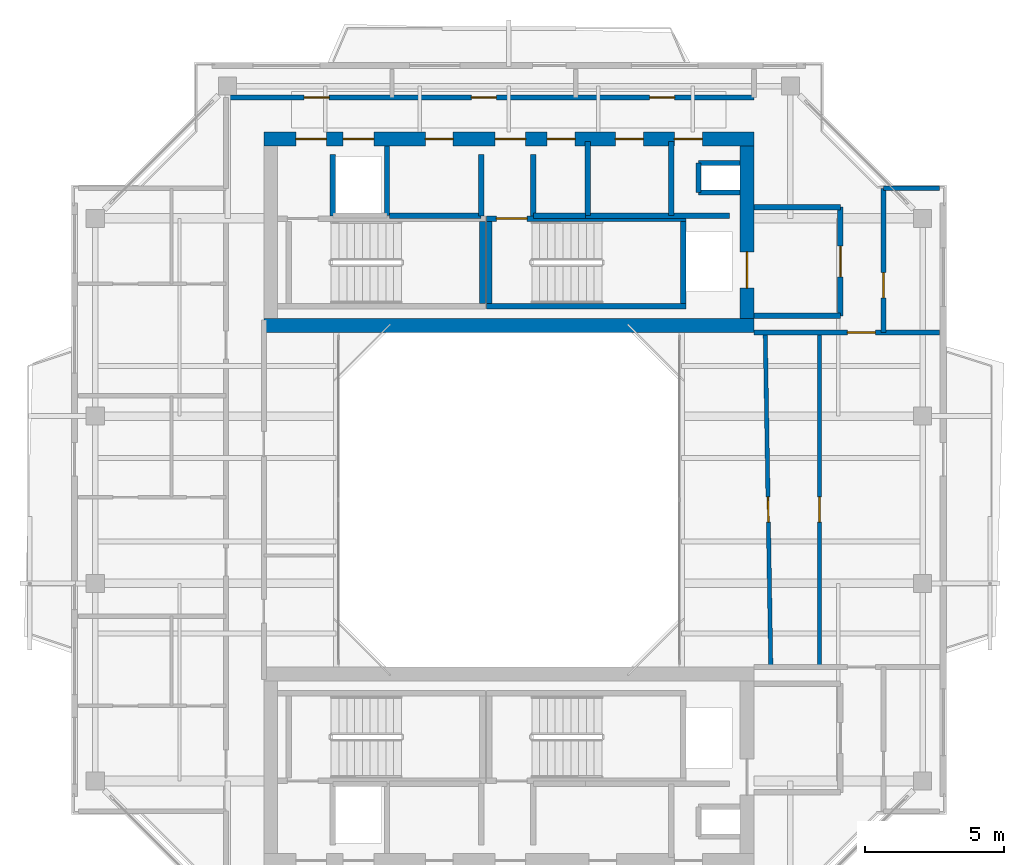
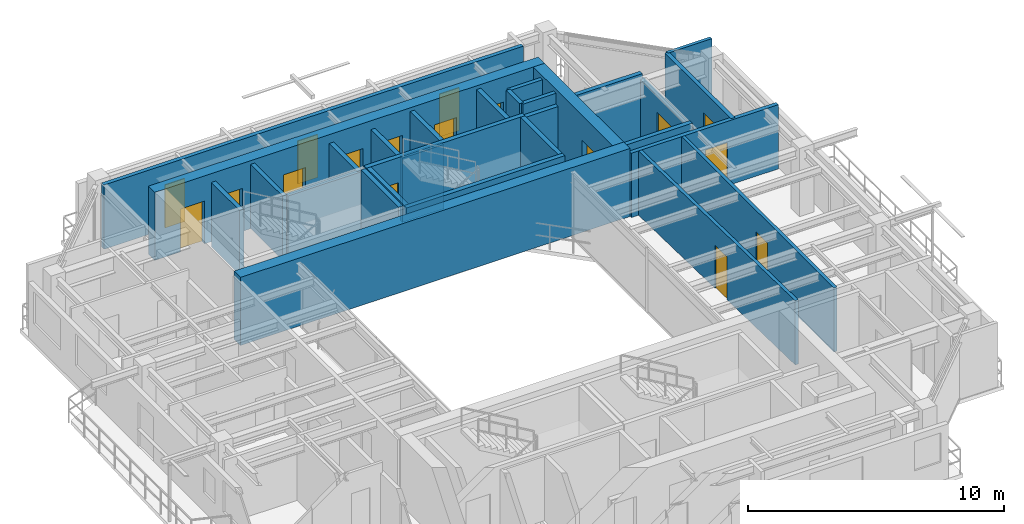
# One storey, part 11 of 15: 29 walls, 17 doors, 17 openings.
"""IFC4 building model written with IfcOpenShell, lengths in metres."""

from ifc_helpers import new_model, si_unit, direction, frame, frame_2d, origin, place, context, subcontext, project, spatial, rectangle, extrude, source, transform, mapped, material, layer, layer_set, type_object, element, fill, save


model = new_model("IFC4")

# Units and contexts
model_context = context("Model", 3, precision=1e-05, world=origin(), true_north=direction((0.0, 1.0)))
body_context = subcontext(model_context, "Body", "Model", "MODEL_VIEW")
ifc_project = project(units=[si_unit("LENGTHUNIT", "METRE"), si_unit("AREAUNIT", "SQUARE_METRE"), si_unit("VOLUMEUNIT", "CUBIC_METRE"), si_unit("PLANEANGLEUNIT", "RADIAN"), si_unit("MASSUNIT", "GRAM", prefix="KILO"), si_unit("THERMODYNAMICTEMPERATUREUNIT", "KELVIN"), si_unit("POWERUNIT", "WATT")], contexts=[model_context])

# Site, building, storey
site_placement = place(None, origin())
site = spatial("IfcSite", under=ifc_project, at=site_placement, CompositionType="ELEMENT")
building_placement = place(site_placement, origin())
building = spatial("IfcBuilding", under=site, at=building_placement, Name="Qiaomeng Ring Towers", CompositionType="ELEMENT")
storey_placement = place(building_placement, frame((0.0, 0.0, 256.75)))
storey = spatial("IfcBuildingStorey", under=building, at=storey_placement, Name="L75", CompositionType="ELEMENT", Elevation=256.75)

# Walls
ifc_material_1 = material(Name="Autoclaved aerated concrete block", Category="concrete")
ifc_layer_1 = layer(ifc_material_1, 0.199951171875, Name="Autoclaved aerated concrete block")
ifc_layer_set_1 = layer_set([ifc_layer_1], Name="Autoclaved aerated concrete block")
wall_type_1 = type_object("IfcWallType", Name="ARC-WL-PW1", PredefinedType="PARTITIONING", material=ifc_layer_set_1)
for number, where, z_axis, x_axis, name in (
    (1, (27.800048828125, 29.60009765625, 0.0), (0.0, 0.0, 1.0), (1.0, 0.0, 0.0), "L75 Interior Wall PW1"),
    (2, (27.800048828125, 33.5, 0.0), (0.0, 0.0, 1.0), (1.0, 0.0, 0.0), "L75 Interior Wall PW1"),
):
    element("IfcWall", number, at=place(storey_placement, frame(where, z_axis=z_axis, x_axis=x_axis)), inside=storey, type_object=wall_type_1, Name=name, PredefinedType="PARTITIONING", context=body_context, shape_type="SweptSolid", body=[
        extrude(rectangle(XDim=3.099853515625, YDim=0.199951171875, at=frame_2d((1.5498046875, 0.0))), origin(), (0.0, 0.0, 1.0), 3.070068359375),
    ])

# Wall, opening, door
wall_1_placement = place(storey_placement, frame((30.89990234375, 29.60009765625, 0.0), z_axis=(0.0, 0.0, 1.0), x_axis=(0.0, 1.0, 0.0)))
wall_1 = element("IfcWall", 3, at=wall_1_placement, inside=storey, type_object=wall_type_1, Name="L75 Interior Wall PW1", PredefinedType="PARTITIONING", context=body_context, shape_type="SweptSolid", body=[
    extrude(rectangle(XDim=3.89990234375, YDim=0.199951171875, at=frame_2d((1.949951171875, 0.0))), origin(), (0.0, 0.0, 1.0), 2.81494140625),
])
opening_1_placement = place(wall_1_placement, frame((1.39990234375, 0.0, 0.0)))
opening_1 = element("IfcOpeningElement", 4, at=opening_1_placement, cuts=wall_1, Name="Opening FD3", PredefinedType="OPENING", context=body_context, shape_type="SweptSolid", body=[
    extrude(rectangle(XDim=1.10009765625, YDim=2.050048828125, at=frame_2d((0.550048828125, 1.02490234375))), frame((0.0, 0.10986328125, 0.0), z_axis=(0.0, -1.0, 0.0), x_axis=(1.0, 0.0, 0.0)), (0.0, 0.0, 1.0), 0.219970703125),
])
ifc_material_2 = material(Name="Galvanised steel", Category="steel")
door_type_1 = type_object("IfcDoorType", Name="ARC-DR-FD3", OperationType="NOTDEFINED", PredefinedType="DOOR", material=ifc_material_2)
shared_shape_1 = source(origin(), body_context, "Body", "SweptSolid", [
    extrude(rectangle(XDim=1.10009765625, YDim=2.050048828125, at=frame_2d((0.550048828125, 1.02490234375))), frame((0.0, 0.02490234375, 0.0), z_axis=(0.0, -1.0, 0.0), x_axis=(1.0, 0.0, 0.0)), (0.0, 0.0, 1.0), 0.050048828125),
])
door_1_placement = place(opening_1_placement, origin())
door_1 = element("IfcDoor", 5, at=door_1_placement, inside=storey, type_object=door_type_1, Name="L75 North FF Lobby Door", OperationType="SINGLE_SWING_LEFT", OverallHeight=2.050048828125, OverallWidth=1.10009765625, PredefinedType="DOOR", context=body_context, shape_type="MappedRepresentation", body=[
    mapped(shared_shape_1, transform((0.0, 0.0, 0.0), x_axis=(1.0, 0.0, 0.0), y_axis=(0.0, 1.0, 0.0), z_axis=(0.0, 0.0, 1.0), scale=1.0)),
])
fill(opening_1, door_1)

# Walls
for number, where, z_axis, x_axis, name in (
    (6, (12.679931640625, 33.18994140625, 0.0), (0.0, 0.0, 1.0), (0.0, 1.0, 0.0), "L75 Interior Wall PW1"),
    (7, (18.0, 33.18994140625, 0.0), (0.0, 0.0, 1.0), (0.0, 1.0, 0.0), "L75 Interior Wall PW1"),
    (8, (19.8798828125, 33.18994140625, 0.0), (0.0, 0.0, 1.0), (0.0, 1.0, 0.0), "L75 Interior Wall PW1"),
):
    element("IfcWall", number, at=place(storey_placement, frame(where, z_axis=z_axis, x_axis=x_axis)), inside=storey, type_object=wall_type_1, Name=name, PredefinedType="PARTITIONING", context=body_context, shape_type="SweptSolid", body=[
        extrude(rectangle(XDim=2.2099609375, YDim=0.199951171875, at=frame_2d((1.10498046875, 0.0))), origin(), (0.0, 0.0, 1.0), 3.070068359375),
    ])
wall_2_placement = place(storey_placement, frame((14.719970703125, 33.199951171875, 0.0), z_axis=(0.0, 0.0, 1.0), x_axis=(1.0, 0.0, 0.0)))
element("IfcWall", 9, at=wall_2_placement, inside=storey, type_object=wall_type_1, Name="L75 Interior Wall PW1", PredefinedType="PARTITIONING", context=body_context, shape_type="SweptSolid", body=[
    extrude(rectangle(XDim=3.280029296875, YDim=0.199951171875, at=frame_2d((1.64013671875, 0.0))), origin(), (0.0, 0.0, 1.0), 3.070068359375),
])
wall_3_placement = place(storey_placement, frame((24.820068359375, 33.199951171875, 0.0), z_axis=(0.0, 0.0, 1.0), x_axis=(0.0, 1.0, 0.0)))
element("IfcWall", 10, at=wall_3_placement, inside=storey, type_object=wall_type_1, Name="L75 Interior Wall PW1", PredefinedType="PARTITIONING", context=body_context, shape_type="SweptSolid", body=[
    extrude(rectangle(XDim=2.650146484375, YDim=0.199951171875, at=frame_2d((1.3251953125, 0.0))), origin(), (0.0, 0.0, 1.0), 3.070068359375),
])
wall_4_placement = place(storey_placement, frame((19.8798828125, 33.199951171875, 0.0), z_axis=(0.0, 0.0, 1.0), x_axis=(1.0, 0.0, 0.0)))
element("IfcWall", 11, at=wall_4_placement, inside=storey, type_object=wall_type_1, Name="L75 Interior Wall PW1", PredefinedType="PARTITIONING", context=body_context, shape_type="SweptSolid", body=[
    extrude(rectangle(XDim=1.8701171875, YDim=0.199951171875, at=frame_2d((0.93505859375, 0.0))), origin(), (0.0, 0.0, 1.0), 3.070068359375),
])
wall_5_placement = place(storey_placement, frame((21.830078125, 33.199951171875, 0.0), z_axis=(0.0, 0.0, 1.0), x_axis=(0.0, 1.0, 0.0)))
element("IfcWall", 12, at=wall_5_placement, inside=storey, type_object=wall_type_1, Name="L75 Interior Wall PW1", PredefinedType="PARTITIONING", context=body_context, shape_type="SweptSolid", body=[
    extrude(rectangle(XDim=2.650146484375, YDim=0.199951171875, at=frame_2d((1.3251953125, 0.0))), origin(), (0.0, 0.0, 1.0), 3.070068359375),
])
wall_6_placement = place(storey_placement, frame((21.75, 33.199951171875, 0.0), z_axis=(0.0, 0.0, 1.0), x_axis=(1.0, 0.0, 0.0)))
element("IfcWall", 13, at=wall_6_placement, inside=storey, type_object=wall_type_1, Name="L75 Interior Wall PW1", PredefinedType="PARTITIONING", context=body_context, shape_type="SweptSolid", body=[
    extrude(rectangle(XDim=5.169921875, YDim=0.199951171875, at=frame_2d((2.5849609375, 0.0))), origin(), (0.0, 0.0, 1.0), 3.070068359375),
])

# Wall, openings, doors
ifc_layer_2 = layer(ifc_material_1, 0.179931640625, Name="Autoclaved aerated concrete block")
ifc_layer_set_2 = layer_set([ifc_layer_2], Name="Autoclaved aerated concrete block")
wall_type_2 = type_object("IfcWallType", Name="ARC-WL-PW2", PredefinedType="PARTITIONING", material=ifc_layer_set_2)
wall_7_placement = place(storey_placement, frame((8.85009765625, 37.43994140625, 0.0), z_axis=(0.0, 0.0, 1.0), x_axis=(1.0, 0.0, 0.0)))
wall_7 = element("IfcWall", 14, at=wall_7_placement, inside=storey, type_object=wall_type_2, Name="L75 Interior Wall PW2", PredefinedType="PARTITIONING", context=body_context, shape_type="SweptSolid", body=[
    extrude(rectangle(XDim=18.949951171875, YDim=0.179931640625, at=frame_2d((9.47509765625, 0.0))), origin(), (0.0, 0.0, 1.0), 3.070068359375),
])
opening_2_placement = place(wall_7_placement, frame((2.800048828125, 0.0, 0.0)))
opening_2 = element("IfcOpeningElement", 15, at=opening_2_placement, cuts=wall_7, Name="Opening ID1", PredefinedType="OPENING", context=body_context, shape_type="SweptSolid", body=[
    extrude(rectangle(XDim=0.89990234375, YDim=2.050048828125, at=frame_2d((0.449951171875, 1.02490234375))), frame((0.0, 0.099853515625, 0.0), z_axis=(0.0, -1.0, 0.0), x_axis=(1.0, 0.0, 0.0)), (0.0, 0.0, 1.0), 0.199951171875),
])
opening_3_placement = place(wall_7_placement, frame((8.800048828125, 0.0, 0.0)))
opening_3 = element("IfcOpeningElement", 16, at=opening_3_placement, cuts=wall_7, Name="Opening ID1", PredefinedType="OPENING", context=body_context, shape_type="SweptSolid", body=[
    extrude(rectangle(XDim=0.89990234375, YDim=2.050048828125, at=frame_2d((0.449951171875, 1.02490234375))), frame((0.0, 0.099853515625, 0.0), z_axis=(0.0, -1.0, 0.0), x_axis=(1.0, 0.0, 0.0)), (0.0, 0.0, 1.0), 0.199951171875),
])
opening_4_placement = place(wall_7_placement, frame((15.199951171875, 0.0, 0.0)))
opening_4 = element("IfcOpeningElement", 17, at=opening_4_placement, cuts=wall_7, Name="Opening ID1", PredefinedType="OPENING", context=body_context, shape_type="SweptSolid", body=[
    extrude(rectangle(XDim=0.89990234375, YDim=2.050048828125, at=frame_2d((0.449951171875, 1.02490234375))), frame((0.0, 0.099853515625, 0.0), z_axis=(0.0, -1.0, 0.0), x_axis=(1.0, 0.0, 0.0)), (0.0, 0.0, 1.0), 0.199951171875),
])
ifc_material_3 = material(Name="Engineered oak timber", Category="wood")
door_type_2 = type_object("IfcDoorType", Name="ARC-DR-ID1", OperationType="NOTDEFINED", PredefinedType="DOOR", material=ifc_material_3)
shared_shape_2 = source(origin(), body_context, "Body", "SweptSolid", [
    extrude(rectangle(XDim=0.89990234375, YDim=2.050048828125, at=frame_2d((0.449951171875, 1.02490234375))), frame((0.0, 0.02490234375, 0.0), z_axis=(0.0, -1.0, 0.0), x_axis=(1.0, 0.0, 0.0)), (0.0, 0.0, 1.0), 0.050048828125),
])
door_2_placement = place(opening_2_placement, origin())
door_2 = element("IfcDoor", 18, at=door_2_placement, inside=storey, type_object=door_type_2, Name="L75 Door ID1", OperationType="SINGLE_SWING_RIGHT", OverallHeight=2.050048828125, OverallWidth=0.89990234375, PredefinedType="DOOR", context=body_context, shape_type="MappedRepresentation", body=[
    mapped(shared_shape_2, transform((0.0, 0.0, 0.0), x_axis=(1.0, 0.0, 0.0), y_axis=(0.0, 1.0, 0.0), z_axis=(0.0, 0.0, 1.0), scale=1.0)),
])
fill(opening_2, door_2)
door_3_placement = place(opening_3_placement, origin())
door_3 = element("IfcDoor", 19, at=door_3_placement, inside=storey, type_object=door_type_2, Name="L75 Door ID1", OperationType="SINGLE_SWING_LEFT", OverallHeight=2.050048828125, OverallWidth=0.89990234375, PredefinedType="DOOR", context=body_context, shape_type="MappedRepresentation", body=[
    mapped(shared_shape_2, transform((0.0, 0.0, 0.0), x_axis=(1.0, 0.0, 0.0), y_axis=(0.0, 1.0, 0.0), z_axis=(0.0, 0.0, 1.0), scale=1.0)),
])
fill(opening_3, door_3)
door_4_placement = place(opening_4_placement, origin())
door_4 = element("IfcDoor", 20, at=door_4_placement, inside=storey, type_object=door_type_2, Name="L75 Door ID1", OperationType="SINGLE_SWING_RIGHT", OverallHeight=2.050048828125, OverallWidth=0.89990234375, PredefinedType="DOOR", context=body_context, shape_type="MappedRepresentation", body=[
    mapped(shared_shape_2, transform((0.0, 0.0, 0.0), x_axis=(1.0, 0.0, 0.0), y_axis=(0.0, 1.0, 0.0), z_axis=(0.0, 0.0, 1.0), scale=1.0)),
])
fill(opening_4, door_4)

# Wall, opening, door
wall_8_placement = place(storey_placement, frame((27.800048828125, 29.0, 0.0), z_axis=(0.0, 0.0, 1.0), x_axis=(1.0, 0.0, 0.0)))
wall_8 = element("IfcWall", 21, at=wall_8_placement, inside=storey, type_object=wall_type_2, Name="L75 Interior Wall PW2", PredefinedType="PARTITIONING", context=body_context, shape_type="SweptSolid", body=[
    extrude(rectangle(XDim=6.64990234375, YDim=0.179931640625, at=frame_2d((3.324951171875, 0.0))), origin(), (0.0, 0.0, 1.0), 3.070068359375),
])
opening_5_placement = place(wall_8_placement, frame((3.35009765625, 0.0, 0.0)))
opening_5 = element("IfcOpeningElement", 22, at=opening_5_placement, cuts=wall_8, Name="Opening FD4", PredefinedType="OPENING", context=body_context, shape_type="SweptSolid", body=[
    extrude(rectangle(XDim=1.0, YDim=2.050048828125, at=frame_2d((0.5, 1.02490234375))), frame((0.0, 0.099853515625, 0.0), z_axis=(0.0, -1.0, 0.0), x_axis=(1.0, 0.0, 0.0)), (0.0, 0.0, 1.0), 0.199951171875),
])
ifc_material_4 = material(Name="Engineered fire-rated oak timber", Category="wood")
door_type_3 = type_object("IfcDoorType", Name="ARC-DR-FD4", OperationType="NOTDEFINED", PredefinedType="DOOR", material=ifc_material_4)
shared_shape_3 = source(origin(), body_context, "Body", "SweptSolid", [
    extrude(rectangle(XDim=1.0, YDim=2.050048828125, at=frame_2d((0.5, 1.02490234375))), frame((0.0, 0.02490234375, 0.0), z_axis=(0.0, -1.0, 0.0), x_axis=(1.0, 0.0, 0.0)), (0.0, 0.0, 1.0), 0.050048828125),
])
door_5_placement = place(opening_5_placement, origin())
door_5 = element("IfcDoor", 23, at=door_5_placement, inside=storey, type_object=door_type_3, Name="L75 Door FD4", OperationType="SINGLE_SWING_RIGHT", OverallHeight=2.050048828125, OverallWidth=1.0, PredefinedType="DOOR", context=body_context, shape_type="MappedRepresentation", body=[
    mapped(shared_shape_3, transform((0.0, 0.0, 0.0), x_axis=(1.0, 0.0, 0.0), y_axis=(0.0, 1.0, 0.0), z_axis=(0.0, 0.0, 1.0), scale=1.0)),
])
fill(opening_5, door_5)

wall_9_placement = place(storey_placement, frame((32.449951171875, 29.0, 0.0), z_axis=(0.0, 0.0, 1.0), x_axis=(0.0, 1.0, 0.0)))
wall_9 = element("IfcWall", 24, at=wall_9_placement, inside=storey, type_object=wall_type_2, Name="L75 Interior Wall PW2", PredefinedType="PARTITIONING", context=body_context, shape_type="SweptSolid", body=[
    extrude(rectangle(XDim=5.179931640625, YDim=0.179931640625, at=frame_2d((2.58984375, 0.0))), origin(), (0.0, 0.0, 1.0), 3.070068359375),
])
opening_6_placement = place(wall_9_placement, frame((1.25, 0.0, 0.0)))
opening_6 = element("IfcOpeningElement", 25, at=opening_6_placement, cuts=wall_9, Name="Opening ID1", PredefinedType="OPENING", context=body_context, shape_type="SweptSolid", body=[
    extrude(rectangle(XDim=0.89990234375, YDim=2.050048828125, at=frame_2d((0.449951171875, 1.02490234375))), frame((0.0, 0.099853515625, 0.0), z_axis=(0.0, -1.0, 0.0), x_axis=(1.0, 0.0, 0.0)), (0.0, 0.0, 1.0), 0.199951171875),
])
door_6_placement = place(opening_6_placement, origin())
door_6 = element("IfcDoor", 26, at=door_6_placement, inside=storey, type_object=door_type_2, Name="L75 Door ID1", OperationType="SINGLE_SWING_LEFT", OverallHeight=2.050048828125, OverallWidth=0.89990234375, PredefinedType="DOOR", context=body_context, shape_type="MappedRepresentation", body=[
    mapped(shared_shape_2, transform((0.0, 0.0, 0.0), x_axis=(1.0, 0.0, 0.0), y_axis=(0.0, 1.0, 0.0), z_axis=(0.0, 0.0, 1.0), scale=1.0)),
])
fill(opening_6, door_6)

ifc_material_5 = material(Name="Gypsum fireboard steel-stud partition", Category="steel")
ifc_layer_3 = layer(ifc_material_5, 0.14990234375, Name="Gypsum fireboard steel-stud partition")
ifc_layer_set_3 = layer_set([ifc_layer_3], Name="Gypsum fireboard steel-stud partition")
wall_type_3 = type_object("IfcWallType", Name="ARC-WL-PW3", PredefinedType="PARTITIONING", material=ifc_layer_set_3)
wall_10_placement = place(storey_placement, frame((28.199951171875, 29.0, 0.0), z_axis=(0.0, 0.0, 1.0), x_axis=(0.016660285018, -0.99986120782, 0.0)))
wall_10 = element("IfcWall", 27, at=wall_10_placement, inside=storey, type_object=wall_type_3, Name="L75 Interior Wall PW3", PredefinedType="PARTITIONING", context=body_context, shape_type="SweptSolid", body=[
    extrude(rectangle(XDim=12.001708984375, YDim=0.14990234375, at=frame_2d((6.0009765625, 0.0))), origin(), (0.0, 0.0, 1.0), 3.070068359375),
])
opening_7_placement = place(wall_10_placement, frame((5.902099609375, 0.0, 0.0)))
opening_7 = element("IfcOpeningElement", 28, at=opening_7_placement, cuts=wall_10, Name="Opening ID1", PredefinedType="OPENING", context=body_context, shape_type="SweptSolid", body=[
    extrude(rectangle(XDim=0.89990234375, YDim=2.050048828125, at=frame_2d((0.449951171875, 1.02490234375))), frame((0.0, 0.0849609375, 0.0), z_axis=(0.0, -1.0, 0.0), x_axis=(1.0, 0.0, 0.0)), (0.0, 0.0, 1.0), 0.169921875),
])
door_7_placement = place(opening_7_placement, frame((0.89990234375, 0.0, 0.0), z_axis=(0.0, 0.0, 1.0), x_axis=(-1.0, 0.0, 0.0)))
door_7 = element("IfcDoor", 29, at=door_7_placement, inside=storey, type_object=door_type_2, Name="L75 Door ID1", OperationType="SINGLE_SWING_LEFT", OverallHeight=2.050048828125, OverallWidth=0.89990234375, PredefinedType="DOOR", context=body_context, shape_type="MappedRepresentation", body=[
    mapped(shared_shape_2, transform((0.0, 0.0, 0.0), x_axis=(1.0, 0.0, 0.0), y_axis=(0.0, 1.0, 0.0), z_axis=(0.0, 0.0, 1.0), scale=1.0)),
])
fill(opening_7, door_7)

wall_11_placement = place(storey_placement, frame((30.14990234375, 17.0, 0.0), z_axis=(0.0, 0.0, 1.0), x_axis=(0.0, 1.0, 0.0)))
wall_11 = element("IfcWall", 30, at=wall_11_placement, inside=storey, type_object=wall_type_3, Name="L75 Interior Wall PW3", PredefinedType="PARTITIONING", context=body_context, shape_type="SweptSolid", body=[
    extrude(rectangle(XDim=12.0, YDim=0.14990234375, at=frame_2d((6.0, 0.0))), origin(), (0.0, 0.0, 1.0), 3.070068359375),
])
opening_8_placement = place(wall_11_placement, frame((5.199951171875, 0.0, 0.0)))
opening_8 = element("IfcOpeningElement", 31, at=opening_8_placement, cuts=wall_11, Name="Opening ID1", PredefinedType="OPENING", context=body_context, shape_type="SweptSolid", body=[
    extrude(rectangle(XDim=0.89990234375, YDim=2.050048828125, at=frame_2d((0.449951171875, 1.02490234375))), frame((0.0, 0.0849609375, 0.0), z_axis=(0.0, -1.0, 0.0), x_axis=(1.0, 0.0, 0.0)), (0.0, 0.0, 1.0), 0.169921875),
])
door_8_placement = place(opening_8_placement, origin())
door_8 = element("IfcDoor", 32, at=door_8_placement, inside=storey, type_object=door_type_2, Name="L75 Door ID1", OperationType="SINGLE_SWING_RIGHT", OverallHeight=2.050048828125, OverallWidth=0.89990234375, PredefinedType="DOOR", context=body_context, shape_type="MappedRepresentation", body=[
    mapped(shared_shape_2, transform((0.0, 0.0, 0.0), x_axis=(1.0, 0.0, 0.0), y_axis=(0.0, 1.0, 0.0), z_axis=(0.0, 0.0, 1.0), scale=1.0)),
])
fill(opening_8, door_8)

# Walls
wall_12_placement = place(storey_placement, frame((32.449951171875, 34.179931640625, 0.0), z_axis=(0.0, 0.0, 1.0), x_axis=(1.0, 0.0, 0.0)))
element("IfcWall", 33, at=wall_12_placement, inside=storey, type_object=wall_type_3, Name="L75 Interior Wall PW3", PredefinedType="PARTITIONING", context=body_context, shape_type="SweptSolid", body=[
    extrude(rectangle(XDim=2.0, YDim=0.14990234375, at=frame_2d((1.0, 0.0))), origin(), (0.0, 0.0, 1.0), 3.070068359375),
])
ifc_material_6 = material(Name="Concrete C40", Category="concrete")
ifc_layer_4 = layer(ifc_material_6, 0.199951171875, Name="Concrete C40")
ifc_layer_set_4 = layer_set([ifc_layer_4], Name="Concrete C40")
wall_type_4 = type_object("IfcWallType", Name="STR-WL-STSHAFT", PredefinedType="SHEAR", material=ifc_layer_set_4)
wall_13_placement = place(storey_placement, frame((14.6201171875, 33.199951171875, 0.0), z_axis=(0.0, 0.0, 1.0), x_axis=(0.0, 1.0, 0.0)))
element("IfcWall", 34, at=wall_13_placement, inside=storey, type_object=wall_type_4, Name="L75 Lift LP5-LP3 Shaft Divider Wall", PredefinedType="SHEAR", context=body_context, shape_type="SweptSolid", body=[
    extrude(rectangle(XDim=2.5, YDim=0.179931640625, at=frame_2d((1.25, 0.0))), origin(), (0.0, 0.0, 1.0), 3.070068359375),
])
wall_14_placement = place(storey_placement, frame((25.800048828125, 34.02001953125, 0.0), z_axis=(0.0, 0.0, 1.0), x_axis=(0.0, 1.0, 0.0)))
element("IfcWall", 35, at=wall_14_placement, inside=storey, type_object=wall_type_4, Name="L75 Riser RSR1 West Shaft Wall N", PredefinedType="SHEAR", context=body_context, shape_type="SweptSolid", body=[
    extrude(rectangle(XDim=1.06005859375, YDim=0.179931640625, at=frame_2d((0.530029296875, 0.0))), origin(), (0.0, 0.0, 1.0), 3.070068359375),
])
for number, where, z_axis, x_axis, name in (
    (36, (25.800048828125, 35.080078125, 0.0), (0.0, 0.0, 1.0), (1.0, 0.0, 0.0), "L75 Riser RSR1 North Shaft Wall N"),
    (37, (25.800048828125, 34.02001953125, 0.0), (0.0, 0.0, 1.0), (1.0, 0.0, 0.0), "L75 Riser RSR1 South Shaft Wall N"),
):
    element("IfcWall", number, at=place(storey_placement, frame(where, z_axis=z_axis, x_axis=x_axis)), inside=storey, type_object=wall_type_4, Name=name, PredefinedType="SHEAR", context=body_context, shape_type="SweptSolid", body=[
        extrude(rectangle(XDim=1.5, YDim=0.179931640625, at=frame_2d((0.75, 0.0))), origin(), (0.0, 0.0, 1.0), 3.070068359375),
    ])
wall_15_placement = place(storey_placement, frame((18.050048828125, 30.050048828125, 0.0), z_axis=(0.0, 0.0, 1.0), x_axis=(0.0, 1.0, 0.0)))
element("IfcWall", 38, at=wall_15_placement, inside=storey, type_object=wall_type_4, Name="L75 Stair ST1 East Shaft Shear Wall", PredefinedType="SHEAR", context=body_context, shape_type="SweptSolid", body=[
    extrude(rectangle(XDim=2.93994140625, YDim=0.199951171875, at=frame_2d((1.469970703125, 0.0))), origin(), (0.0, 0.0, 1.0), 3.25),
])
wall_16_placement = place(storey_placement, frame((18.199951171875, 29.949951171875, 0.0), z_axis=(0.0, 0.0, 1.0), x_axis=(1.0, 0.0, 0.0)))
element("IfcWall", 39, at=wall_16_placement, inside=storey, type_object=wall_type_4, Name="L75 Stair ST2 South Shaft Shear Wall", PredefinedType="SHEAR", context=body_context, shape_type="SweptSolid", body=[
    extrude(rectangle(XDim=7.150146484375, YDim=0.199951171875, at=frame_2d((3.5751953125, 0.0))), origin(), (0.0, 0.0, 1.0), 3.25),
])

# Wall, opening, door
wall_17_placement = place(storey_placement, frame((18.199951171875, 33.090087890625, 0.0), z_axis=(0.0, 0.0, 1.0), x_axis=(1.0, 0.0, 0.0)))
wall_17 = element("IfcWall", 40, at=wall_17_placement, inside=storey, type_object=wall_type_4, Name="L75 Stair ST2 North Shaft Shear Wall", PredefinedType="SHEAR", context=body_context, shape_type="SweptSolid", body=[
    extrude(rectangle(XDim=7.150146484375, YDim=0.199951171875, at=frame_2d((3.5751953125, 0.0))), origin(), (0.0, 0.0, 1.0), 3.25),
])
opening_9_placement = place(wall_17_placement, frame((0.35009765625, 0.0, 0.0)))
opening_9 = element("IfcOpeningElement", 41, at=opening_9_placement, cuts=wall_17, Name="Opening FD3", PredefinedType="OPENING", context=body_context, shape_type="SweptSolid", body=[
    extrude(rectangle(XDim=1.10009765625, YDim=2.050048828125, at=frame_2d((0.550048828125, 1.02490234375))), frame((0.0, 0.10986328125, 0.0), z_axis=(0.0, -1.0, 0.0), x_axis=(1.0, 0.0, 0.0)), (0.0, 0.0, 1.0), 0.219970703125),
])
door_9_placement = place(opening_9_placement, origin())
door_9 = element("IfcDoor", 42, at=door_9_placement, inside=storey, type_object=door_type_1, Name="L75 Stair ST2 Exit Door", OperationType="SINGLE_SWING_RIGHT", OverallHeight=2.050048828125, OverallWidth=1.10009765625, PredefinedType="DOOR", context=body_context, shape_type="MappedRepresentation", body=[
    mapped(shared_shape_1, transform((0.0, 0.0, 0.0), x_axis=(1.0, 0.0, 0.0), y_axis=(0.0, 1.0, 0.0), z_axis=(0.0, 0.0, 1.0), scale=1.0)),
])
fill(opening_9, door_9)

# Walls
for number, where, z_axis, x_axis, name in (
    (43, (18.300048828125, 30.050048828125, 0.0), (0.0, 0.0, 1.0), (0.0, 1.0, 0.0), "L75 Stair ST2 West Shaft Shear Wall"),
    (44, (25.25, 30.050048828125, 0.0), (0.0, 0.0, 1.0), (0.0, 1.0, 0.0), "L75 Stair ST2 East Shaft Shear Wall"),
):
    element("IfcWall", number, at=place(storey_placement, frame(where, z_axis=z_axis, x_axis=x_axis)), inside=storey, type_object=wall_type_4, Name=name, PredefinedType="SHEAR", context=body_context, shape_type="SweptSolid", body=[
        extrude(rectangle(XDim=2.93994140625, YDim=0.199951171875, at=frame_2d((1.469970703125, 0.0))), origin(), (0.0, 0.0, 1.0), 3.25),
    ])
ifc_layer_5 = layer(ifc_material_6, 0.5, Name="Concrete C40")
ifc_layer_set_5 = layer_set([ifc_layer_5], Name="Concrete C40")
wall_type_5 = type_object("IfcWallType", Name="STR-WL-SW3", PredefinedType="SHEAR", material=ifc_layer_set_5)
wall_18_placement = place(storey_placement, frame((10.199951171875, 29.25, 0.0), z_axis=(0.0, 0.0, 1.0), x_axis=(1.0, 0.0, 0.0)))
element("IfcWall", 45, at=wall_18_placement, inside=storey, type_object=wall_type_5, Name="L75 T1NC south core shear wall", PredefinedType="SHEAR", context=body_context, shape_type="SweptSolid", body=[
    extrude(rectangle(XDim=17.60009765625, YDim=0.5, at=frame_2d((8.800048828125, 0.0))), origin(), (0.0, 0.0, 1.0), 3.25),
])

# Wall, openings, doors
wall_19_placement = place(storey_placement, frame((10.199951171875, 35.949951171875, 0.0), z_axis=(0.0, 0.0, 1.0), x_axis=(1.0, 0.0, 0.0)))
wall_19 = element("IfcWall", 46, at=wall_19_placement, inside=storey, type_object=wall_type_5, Name="L75 T1NC north core shear wall", PredefinedType="SHEAR", context=body_context, shape_type="SweptSolid", body=[
    extrude(rectangle(XDim=17.60009765625, YDim=0.5, at=frame_2d((8.800048828125, 0.0))), origin(), (0.0, 0.0, 1.0), 3.25),
])
opening_10_placement = place(wall_19_placement, frame((1.14990234375, 0.0, 0.0)))
opening_10 = element("IfcOpeningElement", 47, at=opening_10_placement, cuts=wall_19, Name="Opening FD3", PredefinedType="OPENING", context=body_context, shape_type="SweptSolid", body=[
    extrude(rectangle(XDim=1.10009765625, YDim=2.050048828125, at=frame_2d((0.550048828125, 1.02490234375))), frame((0.0, 0.260009765625, 0.0), z_axis=(0.0, -1.0, 0.0), x_axis=(1.0, 0.0, 0.0)), (0.0, 0.0, 1.0), 0.52001953125),
])
opening_11_placement = place(wall_19_placement, frame((8.300048828125, 0.0, 0.0)))
opening_11 = element("IfcOpeningElement", 48, at=opening_11_placement, cuts=wall_19, Name="Opening FD3", PredefinedType="OPENING", context=body_context, shape_type="SweptSolid", body=[
    extrude(rectangle(XDim=1.10009765625, YDim=2.050048828125, at=frame_2d((0.550048828125, 1.02490234375))), frame((0.0, 0.260009765625, 0.0), z_axis=(0.0, -1.0, 0.0), x_axis=(1.0, 0.0, 0.0)), (0.0, 0.0, 1.0), 0.52001953125),
])
opening_12_placement = place(wall_19_placement, frame((2.85009765625, 0.0, 0.0)))
opening_12 = element("IfcOpeningElement", 49, at=opening_12_placement, cuts=wall_19, Name="Opening LD1", PredefinedType="OPENING", context=body_context, shape_type="SweptSolid", body=[
    extrude(rectangle(XDim=1.10009765625, YDim=2.050048828125, at=frame_2d((0.550048828125, 1.02490234375))), frame((0.0, 0.260009765625, 0.0), z_axis=(0.0, -1.0, 0.0), x_axis=(1.0, 0.0, 0.0)), (0.0, 0.0, 1.0), 0.52001953125),
])
opening_13_placement = place(wall_19_placement, frame((5.800048828125, 0.0, 0.0)))
opening_13 = element("IfcOpeningElement", 50, at=opening_13_placement, cuts=wall_19, Name="Opening FD1", PredefinedType="OPENING", context=body_context, shape_type="SweptSolid", body=[
    extrude(rectangle(XDim=1.0, YDim=2.050048828125, at=frame_2d((0.5, 1.02490234375))), frame((0.0, 0.260009765625, 0.0), z_axis=(0.0, -1.0, 0.0), x_axis=(1.0, 0.0, 0.0)), (0.0, 0.0, 1.0), 0.52001953125),
])
opening_14_placement = place(wall_19_placement, frame((14.739990234375, 0.0, 0.0)))
opening_14 = element("IfcOpeningElement", 51, at=opening_14_placement, cuts=wall_19, Name="Opening FD1", PredefinedType="OPENING", context=body_context, shape_type="SweptSolid", body=[
    extrude(rectangle(XDim=1.0, YDim=2.050048828125, at=frame_2d((0.5, 1.02490234375))), frame((0.0, 0.260009765625, 0.0), z_axis=(0.0, -1.0, 0.0), x_axis=(1.0, 0.0, 0.0)), (0.0, 0.0, 1.0), 0.52001953125),
])
opening_15_placement = place(wall_19_placement, frame((10.175048828125, 0.0, 0.0)))
opening_15 = element("IfcOpeningElement", 52, at=opening_15_placement, cuts=wall_19, Name="Opening FD1", PredefinedType="OPENING", context=body_context, shape_type="SweptSolid", body=[
    extrude(rectangle(XDim=1.0, YDim=2.050048828125, at=frame_2d((0.5, 1.02490234375))), frame((0.0, 0.260009765625, 0.0), z_axis=(0.0, -1.0, 0.0), x_axis=(1.0, 0.0, 0.0)), (0.0, 0.0, 1.0), 0.52001953125),
])
opening_16_placement = place(wall_19_placement, frame((12.625, 0.0, 0.0)))
opening_16 = element("IfcOpeningElement", 53, at=opening_16_placement, cuts=wall_19, Name="Opening FD1", PredefinedType="OPENING", context=body_context, shape_type="SweptSolid", body=[
    extrude(rectangle(XDim=1.0, YDim=2.050048828125, at=frame_2d((0.5, 1.02490234375))), frame((0.0, 0.260009765625, 0.0), z_axis=(0.0, -1.0, 0.0), x_axis=(1.0, 0.0, 0.0)), (0.0, 0.0, 1.0), 0.52001953125),
])
door_10_placement = place(opening_10_placement, origin())
door_10 = element("IfcDoor", 54, at=door_10_placement, inside=storey, type_object=door_type_1, Name="L75 Stair ST1 Lobby Door", OperationType="SINGLE_SWING_LEFT", OverallHeight=2.050048828125, OverallWidth=1.10009765625, PredefinedType="DOOR", context=body_context, shape_type="MappedRepresentation", body=[
    mapped(shared_shape_1, transform((0.0, 0.0, 0.0), x_axis=(1.0, 0.0, 0.0), y_axis=(0.0, 1.0, 0.0), z_axis=(0.0, 0.0, 1.0), scale=1.0)),
])
fill(opening_10, door_10)
door_11_placement = place(opening_11_placement, origin())
door_11 = element("IfcDoor", 55, at=door_11_placement, inside=storey, type_object=door_type_1, Name="L75 Stair ST2 Lobby Door", OperationType="SINGLE_SWING_LEFT", OverallHeight=2.050048828125, OverallWidth=1.10009765625, PredefinedType="DOOR", context=body_context, shape_type="MappedRepresentation", body=[
    mapped(shared_shape_1, transform((0.0, 0.0, 0.0), x_axis=(1.0, 0.0, 0.0), y_axis=(0.0, 1.0, 0.0), z_axis=(0.0, 0.0, 1.0), scale=1.0)),
])
fill(opening_11, door_11)
ifc_material_7 = material(Name="Stainless steel 316", Category="steel")
door_type_4 = type_object("IfcDoorType", Name="ARC-DR-LD1", OperationType="NOTDEFINED", PredefinedType="DOOR", material=ifc_material_7)
door_12_placement = place(opening_12_placement, origin())
door_12 = element("IfcDoor", 56, at=door_12_placement, inside=storey, type_object=door_type_4, Name="L75 High-Zone Lift LP5 Landing Door", OperationType="SLIDING_TO_LEFT", OverallHeight=2.050048828125, OverallWidth=1.10009765625, PredefinedType="DOOR", context=body_context, shape_type="MappedRepresentation", body=[
    mapped(shared_shape_1, transform((0.0, 0.0, 0.0), x_axis=(1.0, 0.0, 0.0), y_axis=(0.0, 1.0, 0.0), z_axis=(0.0, 0.0, 1.0), scale=1.0)),
])
fill(opening_12, door_12)
door_type_5 = type_object("IfcDoorType", Name="ARC-DR-FD1", OperationType="NOTDEFINED", PredefinedType="DOOR", material=ifc_material_2)
door_13_placement = place(opening_13_placement, origin())
door_13 = element("IfcDoor", 57, at=door_13_placement, inside=storey, type_object=door_type_5, Name="L75 High-Zone Facilities Office Door", OperationType="SINGLE_SWING_LEFT", OverallHeight=2.050048828125, OverallWidth=1.0, PredefinedType="DOOR", context=body_context, shape_type="MappedRepresentation", body=[
    mapped(shared_shape_3, transform((0.0, 0.0, 0.0), x_axis=(1.0, 0.0, 0.0), y_axis=(0.0, 1.0, 0.0), z_axis=(0.0, 0.0, 1.0), scale=1.0)),
])
fill(opening_13, door_13)
door_14_placement = place(opening_14_placement, origin())
door_14 = element("IfcDoor", 58, at=door_14_placement, inside=storey, type_object=door_type_5, Name="L75 North Electrical Riser Door", OperationType="SINGLE_SWING_LEFT", OverallHeight=2.050048828125, OverallWidth=1.0, PredefinedType="DOOR", context=body_context, shape_type="MappedRepresentation", body=[
    mapped(shared_shape_3, transform((0.0, 0.0, 0.0), x_axis=(1.0, 0.0, 0.0), y_axis=(0.0, 1.0, 0.0), z_axis=(0.0, 0.0, 1.0), scale=1.0)),
])
fill(opening_14, door_14)
door_15_placement = place(opening_15_placement, origin())
door_15 = element("IfcDoor", 59, at=door_15_placement, inside=storey, type_object=door_type_5, Name="L75 North Cleaners Store Door", OperationType="SINGLE_SWING_LEFT", OverallHeight=2.050048828125, OverallWidth=1.0, PredefinedType="DOOR", context=body_context, shape_type="MappedRepresentation", body=[
    mapped(shared_shape_3, transform((0.0, 0.0, 0.0), x_axis=(1.0, 0.0, 0.0), y_axis=(0.0, 1.0, 0.0), z_axis=(0.0, 0.0, 1.0), scale=1.0)),
])
fill(opening_15, door_15)
door_16_placement = place(opening_16_placement, origin())
door_16 = element("IfcDoor", 60, at=door_16_placement, inside=storey, type_object=door_type_5, Name="L75 North Telemetry Office Door", OperationType="SINGLE_SWING_RIGHT", OverallHeight=2.050048828125, OverallWidth=1.0, PredefinedType="DOOR", context=body_context, shape_type="MappedRepresentation", body=[
    mapped(shared_shape_3, transform((0.0, 0.0, 0.0), x_axis=(1.0, 0.0, 0.0), y_axis=(0.0, 1.0, 0.0), z_axis=(0.0, 0.0, 1.0), scale=1.0)),
])
fill(opening_16, door_16)

# Wall, opening, door
wall_20_placement = place(storey_placement, frame((27.550048828125, 29.5, 0.0), z_axis=(0.0, 0.0, 1.0), x_axis=(0.0, 1.0, 0.0)))
wall_20 = element("IfcWall", 61, at=wall_20_placement, inside=storey, type_object=wall_type_5, Name="L75 T1NC east core shear wall", PredefinedType="SHEAR", context=body_context, shape_type="SweptSolid", body=[
    extrude(rectangle(XDim=6.199951171875, YDim=0.5, at=frame_2d((3.10009765625, 0.0))), origin(), (0.0, 0.0, 1.0), 3.25),
])
opening_17_placement = place(wall_20_placement, frame((1.10009765625, 0.0, 0.0)))
opening_17 = element("IfcOpeningElement", 62, at=opening_17_placement, cuts=wall_20, Name="Opening LD2", PredefinedType="OPENING", context=body_context, shape_type="SweptSolid", body=[
    extrude(rectangle(XDim=1.300048828125, YDim=2.050048828125, at=frame_2d((0.64990234375, 1.02490234375))), frame((0.0, 0.260009765625, 0.0), z_axis=(0.0, -1.0, 0.0), x_axis=(1.0, 0.0, 0.0)), (0.0, 0.0, 1.0), 0.52001953125),
])
door_type_6 = type_object("IfcDoorType", Name="ARC-DR-LD2", OperationType="NOTDEFINED", PredefinedType="DOOR", material=ifc_material_7)
shared_shape_4 = source(origin(), body_context, "Body", "SweptSolid", [
    extrude(rectangle(XDim=1.300048828125, YDim=2.050048828125, at=frame_2d((0.64990234375, 1.02490234375))), frame((0.0, 0.02490234375, 0.0), z_axis=(0.0, -1.0, 0.0), x_axis=(1.0, 0.0, 0.0)), (0.0, 0.0, 1.0), 0.050048828125),
])
door_17_placement = place(opening_17_placement, origin())
door_17 = element("IfcDoor", 63, at=door_17_placement, inside=storey, type_object=door_type_6, Name="L75 Firefighting Lift FL1 Landing Door", OperationType="SLIDING_TO_LEFT", OverallHeight=2.050048828125, OverallWidth=1.300048828125, PredefinedType="DOOR", context=body_context, shape_type="MappedRepresentation", body=[
    mapped(shared_shape_4, transform((0.0, 0.0, 0.0), x_axis=(1.0, 0.0, 0.0), y_axis=(0.0, 1.0, 0.0), z_axis=(0.0, 0.0, 1.0), scale=1.0)),
])
fill(opening_17, door_17)

save(model, "model.ifc")
